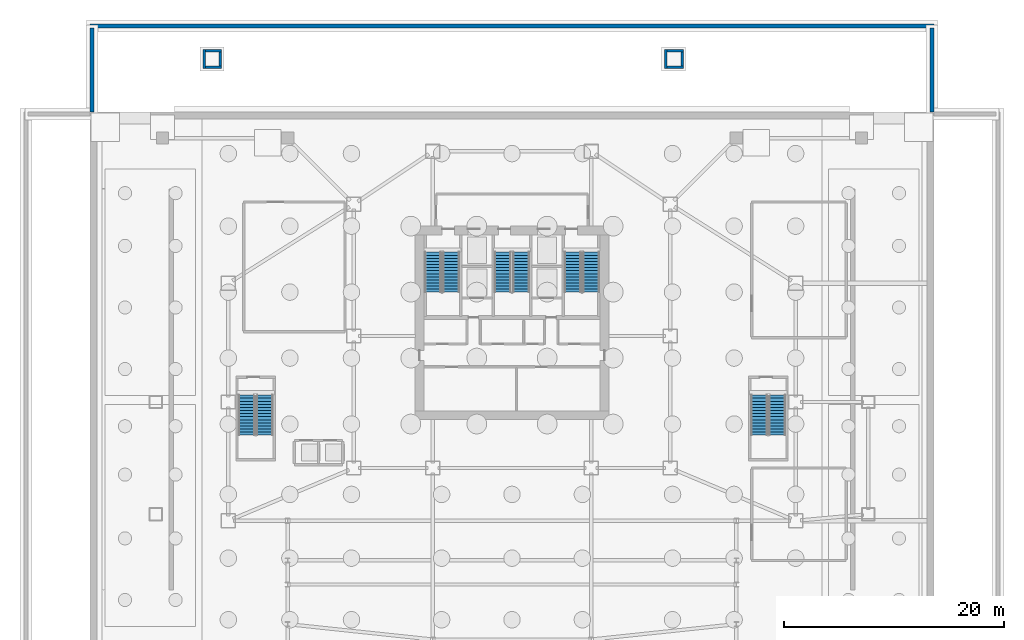
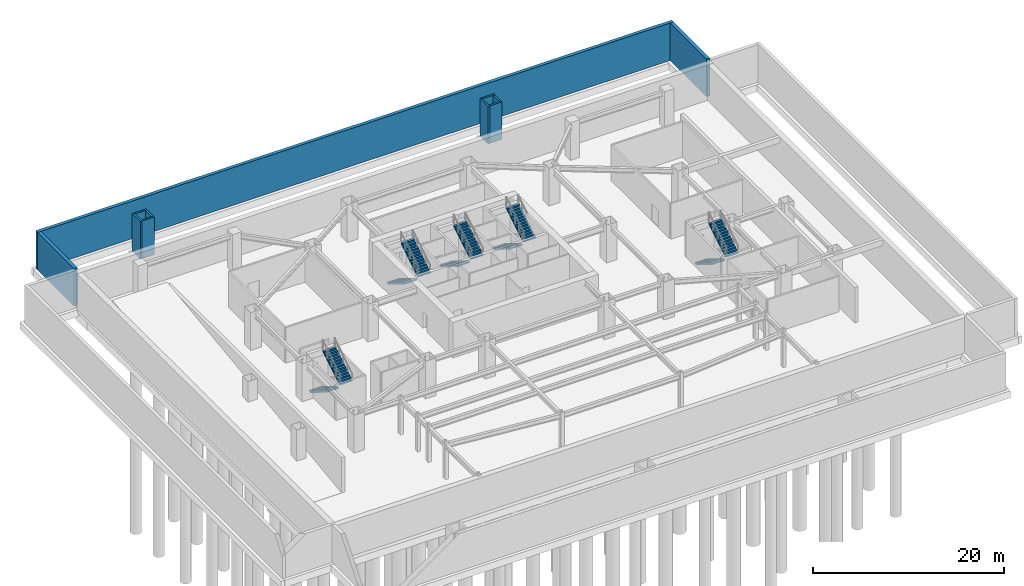
# One storey, part 11 of 15: 11 walls, 10 stair flights, 5 elements without a shape of their own.
"""IFC4 building model written with IfcOpenShell, lengths in metres."""

from ifc_helpers import new_model, si_unit, direction, frame, frame_2d, origin, place, context, subcontext, project, spatial, polyline, rectangle, outline, extrude, material, layer, layer_set, type_object, element, aggregate, save


model = new_model("IFC4")

# Units and contexts
model_context = context("Model", 3, precision=1e-05, world=origin(), true_north=direction((0.0, 1.0)))
body_context = subcontext(model_context, "Body", "Model", "MODEL_VIEW")
ifc_project = project(units=[si_unit("LENGTHUNIT", "METRE"), si_unit("AREAUNIT", "SQUARE_METRE"), si_unit("VOLUMEUNIT", "CUBIC_METRE"), si_unit("PLANEANGLEUNIT", "RADIAN"), si_unit("MASSUNIT", "GRAM", prefix="KILO")], contexts=[model_context])

# Site, building, storey
site_placement = place(None, origin())
site = spatial("IfcSite", under=ifc_project, at=site_placement, CompositionType="ELEMENT")
building_placement = place(site_placement, origin())
building = spatial("IfcBuilding", under=site, at=building_placement, Name="Haolan Belvedere Tower", CompositionType="ELEMENT")
storey_placement = place(building_placement, frame((0.0, 0.0, -9.60009765625)))
storey = spatial("IfcBuildingStorey", under=building, at=storey_placement, Name="B2", CompositionType="ELEMENT", Elevation=-9.60009765625)

# Walls
ifc_material_1 = material(Name="Concrete C50/60", Category="concrete")
ifc_layer_1 = layer(ifc_material_1, 0.39990234375, Name="Concrete C50/60")
ifc_layer_set_1 = layer_set([ifc_layer_1], Name="Concrete C50/60")
wall_type_1 = type_object("IfcWallType", Name="WL-RMP-400", PredefinedType="SOLIDWALL", material=ifc_layer_set_1)
wall_1_placement = place(storey_placement, frame((0.0, 61.800048828125, 0.0), z_axis=(0.0, 0.0, 1.0), x_axis=(1.0, 0.0, 0.0)))
element("IfcWall", 1, at=wall_1_placement, inside=storey, type_object=wall_type_1, Name="B2 apron foundation wall APW-N-OUT", PredefinedType="SOLIDWALL", context=body_context, shape_type="SweptSolid", body=[
    extrude(rectangle(XDim=76.800048828125, YDim=0.39990234375, at=frame_2d((38.39990234375, 0.0))), origin(), (0.0, 0.0, 1.0), 4.800048828125),
])
for number, where, z_axis, x_axis, name in (
    (2, (0.199951171875, 54.0, 0.0), (0.0, 0.0, 1.0), (0.0, 1.0, 0.0), "B2 apron foundation wall APW-N-W"),
    (3, (76.60009765625, 54.0, 0.0), (0.0, 0.0, 1.0), (0.0, 1.0, 0.0), "B2 apron foundation wall APW-N-E"),
):
    element("IfcWall", number, at=place(storey_placement, frame(where, z_axis=z_axis, x_axis=x_axis)), inside=storey, type_object=wall_type_1, Name=name, PredefinedType="SOLIDWALL", context=body_context, shape_type="SweptSolid", body=[
        extrude(rectangle(XDim=7.60009765625, YDim=0.39990234375, at=frame_2d((3.800048828125, 0.0))), origin(), (0.0, 0.0, 1.0), 4.800048828125),
    ])
ifc_layer_2 = layer(ifc_material_1, 0.219970703125, Name="Concrete C50/60")
ifc_layer_set_2 = layer_set([ifc_layer_2], Name="Concrete C50/60")
wall_type_2 = type_object("IfcWallType", Name="WL-STAIR-220", PredefinedType="SHEAR", material=ifc_layer_set_2)
wall_2_placement = place(storey_placement, frame((10.39990234375, 57.93994140625, 0.0), z_axis=(0.0, 0.0, 1.0), x_axis=(0.0, 1.0, 0.0)))
element("IfcWall", 4, at=wall_2_placement, inside=storey, type_object=wall_type_2, Name="North-west concourse step-free accessible ramp AR-3 foundation stem wall B2 W", PredefinedType="SHEAR", context=body_context, shape_type="SweptSolid", body=[
    extrude(rectangle(XDim=1.719970703125, YDim=0.219970703125, at=frame_2d((0.85986328125, 0.0))), origin(), (0.0, 0.0, 1.0), 4.800048828125),
])
for number, where, z_axis, x_axis, name in (
    (5, (10.510009765625, 59.550048828125, 0.0), (0.0, 0.0, 1.0), (1.0, 0.0, 0.0), "North-west concourse step-free accessible ramp AR-3 foundation stem wall B2 N"),
    (6, (10.510009765625, 58.050048828125, 0.0), (0.0, 0.0, 1.0), (1.0, 0.0, 0.0), "North-west concourse step-free accessible ramp AR-3 foundation stem wall B2 S"),
):
    element("IfcWall", number, at=place(storey_placement, frame(where, z_axis=z_axis, x_axis=x_axis)), inside=storey, type_object=wall_type_2, Name=name, PredefinedType="SHEAR", context=body_context, shape_type="SweptSolid", body=[
        extrude(rectangle(XDim=1.469970703125, YDim=0.219970703125, at=frame_2d((0.73486328125, 0.0))), origin(), (0.0, 0.0, 1.0), 4.800048828125),
    ])
wall_3_placement = place(storey_placement, frame((11.8701171875, 58.159912109375, 0.0), z_axis=(0.0, 0.0, 1.0), x_axis=(0.0, 1.0, 0.0)))
element("IfcWall", 7, at=wall_3_placement, inside=storey, type_object=wall_type_2, Name="North-west concourse step-free accessible ramp AR-3 foundation stem wall B2 E", PredefinedType="SHEAR", context=body_context, shape_type="SweptSolid", body=[
    extrude(rectangle(XDim=1.280029296875, YDim=0.219970703125, at=frame_2d((0.64013671875, 0.0))), origin(), (0.0, 0.0, 1.0), 4.800048828125),
])
wall_4_placement = place(storey_placement, frame((52.39990234375, 57.93994140625, 0.0), z_axis=(0.0, 0.0, 1.0), x_axis=(0.0, 1.0, 0.0)))
element("IfcWall", 8, at=wall_4_placement, inside=storey, type_object=wall_type_2, Name="North-east concourse step-free accessible ramp AR-4 foundation stem wall B2 W", PredefinedType="SHEAR", context=body_context, shape_type="SweptSolid", body=[
    extrude(rectangle(XDim=1.719970703125, YDim=0.219970703125, at=frame_2d((0.85986328125, 0.0))), origin(), (0.0, 0.0, 1.0), 4.800048828125),
])
for number, where, z_axis, x_axis, name in (
    (9, (52.510009765625, 59.550048828125, 0.0), (0.0, 0.0, 1.0), (1.0, 0.0, 0.0), "North-east concourse step-free accessible ramp AR-4 foundation stem wall B2 N"),
    (10, (52.510009765625, 58.050048828125, 0.0), (0.0, 0.0, 1.0), (1.0, 0.0, 0.0), "North-east concourse step-free accessible ramp AR-4 foundation stem wall B2 S"),
):
    element("IfcWall", number, at=place(storey_placement, frame(where, z_axis=z_axis, x_axis=x_axis)), inside=storey, type_object=wall_type_2, Name=name, PredefinedType="SHEAR", context=body_context, shape_type="SweptSolid", body=[
        extrude(rectangle(XDim=1.469970703125, YDim=0.219970703125, at=frame_2d((0.73486328125, 0.0))), origin(), (0.0, 0.0, 1.0), 4.800048828125),
    ])
wall_5_placement = place(storey_placement, frame((53.8701171875, 58.159912109375, 0.0), z_axis=(0.0, 0.0, 1.0), x_axis=(0.0, 1.0, 0.0)))
element("IfcWall", 11, at=wall_5_placement, inside=storey, type_object=wall_type_2, Name="North-east concourse step-free accessible ramp AR-4 foundation stem wall B2 E", PredefinedType="SHEAR", context=body_context, shape_type="SweptSolid", body=[
    extrude(rectangle(XDim=1.280029296875, YDim=0.219970703125, at=frame_2d((0.64013671875, 0.0))), origin(), (0.0, 0.0, 1.0), 4.800048828125),
])

# Stair, stair flights
ifc_material_2 = material(Name="Concrete C40/50", Category="concrete")
stair_type = type_object("IfcStairType", Name="STR-DL-28R-171", PredefinedType="HALF_TURN_STAIR", material=ifc_material_2)
stair_1_placement = place(storey_placement, origin())
stair_1 = element("IfcStair", 12, at=stair_1_placement, inside=storey, type_object=stair_type, Name="B2 Smokeproof Core Exit Stair ST1", PredefinedType="HALF_TURN_STAIR")
stair_flight_type = type_object("IfcStairFlightType", Name="SFL-DL-14R-171", PredefinedType="STRAIGHT", material=ifc_material_2)
stair_flight_1_placement = place(storey_placement, frame((31.2099609375, 41.22998046875, 0.0), z_axis=(0.0, 0.0, 1.0), x_axis=(0.0, -1.0, 0.0)))
stair_flight_1 = element("IfcStairFlight", 13, at=stair_flight_1_placement, type_object=stair_flight_type, Name="ST1 flight 1", NumberOfRisers=14, NumberOfTreads=13, PredefinedType="STRAIGHT", RiserHeight=0.171428571, TreadLength=0.28, context=body_context, shape_type="SweptSolid", body=[
    extrude(outline(polyline([(0.0, 0.0), (0.0, 0.17138671875), (0.280029296875, 0.17138671875), (0.280029296875, 0.3427734375), (0.56005859375, 0.3427734375), (0.56005859375, 0.514404296875), (0.840087890625, 0.514404296875), (0.840087890625, 0.685791015625), (1.1201171875, 0.685791015625), (1.1201171875, 0.857177734375), (1.39990234375, 0.857177734375), (1.39990234375, 1.028564453125), (1.679931640625, 1.028564453125), (1.679931640625, 1.199951171875), (1.9599609375, 1.199951171875), (1.9599609375, 1.371337890625), (2.239990234375, 1.371337890625), (2.239990234375, 1.54296875), (2.52001953125, 1.54296875), (2.52001953125, 1.71435546875), (2.800048828125, 1.71435546875), (2.800048828125, 1.8857421875), (3.080078125, 1.8857421875), (3.080078125, 2.05712890625), (3.360107421875, 2.05712890625), (3.360107421875, 2.228515625), (3.639892578125, 2.228515625), (3.639892578125, 2.39990234375), (3.639892578125, 2.052734375), (0.287109375, 0.0), (0.0, 0.0)])), frame((0.0, 0.760009765625, 0.0), z_axis=(0.0, -1.0, 0.0), x_axis=(1.0, 0.0, 0.0)), (0.0, 0.0, 1.0), 1.52001953125),
])
stair_flight_2_placement = place(storey_placement, frame((32.8701171875, 37.590087890625, 2.400146484375), z_axis=(0.0, 0.0, 1.0), x_axis=(0.0, 1.0, 0.0)))
stair_flight_2 = element("IfcStairFlight", 14, at=stair_flight_2_placement, type_object=stair_flight_type, Name="ST1 flight 2", NumberOfRisers=14, NumberOfTreads=13, PredefinedType="STRAIGHT", RiserHeight=0.171428571, TreadLength=0.28, context=body_context, shape_type="SweptSolid", body=[
    extrude(outline(polyline([(0.0, 0.0), (0.0, 0.17138671875), (0.280029296875, 0.17138671875), (0.280029296875, 0.3427734375), (0.56005859375, 0.3427734375), (0.56005859375, 0.514404296875), (0.840087890625, 0.514404296875), (0.840087890625, 0.685791015625), (1.1201171875, 0.685791015625), (1.1201171875, 0.857177734375), (1.39990234375, 0.857177734375), (1.39990234375, 1.028564453125), (1.679931640625, 1.028564453125), (1.679931640625, 1.199951171875), (1.9599609375, 1.199951171875), (1.9599609375, 1.371337890625), (2.239990234375, 1.371337890625), (2.239990234375, 1.54296875), (2.52001953125, 1.54296875), (2.52001953125, 1.71435546875), (2.800048828125, 1.71435546875), (2.800048828125, 1.8857421875), (3.080078125, 1.8857421875), (3.080078125, 2.05712890625), (3.360107421875, 2.05712890625), (3.360107421875, 2.228515625), (3.639892578125, 2.228515625), (3.639892578125, 2.39990234375), (3.639892578125, 2.052734375), (0.287109375, 0.0), (0.0, 0.0)])), frame((0.0, 0.760009765625, 0.0), z_axis=(0.0, -1.0, 0.0), x_axis=(1.0, 0.0, 0.0)), (0.0, 0.0, 1.0), 1.52001953125),
])
aggregate(stair_1, [stair_flight_1, stair_flight_2])

stair_2_placement = place(storey_placement, origin())
stair_2 = element("IfcStair", 15, at=stair_2_placement, inside=storey, type_object=stair_type, Name="B2 Smokeproof Core Exit Stair ST3", PredefinedType="HALF_TURN_STAIR")
stair_flight_3_placement = place(storey_placement, frame((37.570068359375, 41.22998046875, 0.0), z_axis=(0.0, 0.0, 1.0), x_axis=(0.0, -1.0, 0.0)))
stair_flight_3 = element("IfcStairFlight", 16, at=stair_flight_3_placement, type_object=stair_flight_type, Name="ST3 flight 1", NumberOfRisers=14, NumberOfTreads=13, PredefinedType="STRAIGHT", RiserHeight=0.171428571, TreadLength=0.28, context=body_context, shape_type="SweptSolid", body=[
    extrude(outline(polyline([(0.0, 0.0), (0.0, 0.17138671875), (0.280029296875, 0.17138671875), (0.280029296875, 0.3427734375), (0.56005859375, 0.3427734375), (0.56005859375, 0.514404296875), (0.840087890625, 0.514404296875), (0.840087890625, 0.685791015625), (1.1201171875, 0.685791015625), (1.1201171875, 0.857177734375), (1.39990234375, 0.857177734375), (1.39990234375, 1.028564453125), (1.679931640625, 1.028564453125), (1.679931640625, 1.199951171875), (1.9599609375, 1.199951171875), (1.9599609375, 1.371337890625), (2.239990234375, 1.371337890625), (2.239990234375, 1.54296875), (2.52001953125, 1.54296875), (2.52001953125, 1.71435546875), (2.800048828125, 1.71435546875), (2.800048828125, 1.8857421875), (3.080078125, 1.8857421875), (3.080078125, 2.05712890625), (3.360107421875, 2.05712890625), (3.360107421875, 2.228515625), (3.639892578125, 2.228515625), (3.639892578125, 2.39990234375), (3.639892578125, 2.052734375), (0.287109375, 0.0), (0.0, 0.0)])), frame((0.0, 0.760009765625, 0.0), z_axis=(0.0, -1.0, 0.0), x_axis=(1.0, 0.0, 0.0)), (0.0, 0.0, 1.0), 1.52001953125),
])
stair_flight_4_placement = place(storey_placement, frame((39.22998046875, 37.590087890625, 2.400146484375), z_axis=(0.0, 0.0, 1.0), x_axis=(0.0, 1.0, 0.0)))
stair_flight_4 = element("IfcStairFlight", 17, at=stair_flight_4_placement, type_object=stair_flight_type, Name="ST3 flight 2", NumberOfRisers=14, NumberOfTreads=13, PredefinedType="STRAIGHT", RiserHeight=0.171428571, TreadLength=0.28, context=body_context, shape_type="SweptSolid", body=[
    extrude(outline(polyline([(0.0, 0.0), (0.0, 0.17138671875), (0.280029296875, 0.17138671875), (0.280029296875, 0.3427734375), (0.56005859375, 0.3427734375), (0.56005859375, 0.514404296875), (0.840087890625, 0.514404296875), (0.840087890625, 0.685791015625), (1.1201171875, 0.685791015625), (1.1201171875, 0.857177734375), (1.39990234375, 0.857177734375), (1.39990234375, 1.028564453125), (1.679931640625, 1.028564453125), (1.679931640625, 1.199951171875), (1.9599609375, 1.199951171875), (1.9599609375, 1.371337890625), (2.239990234375, 1.371337890625), (2.239990234375, 1.54296875), (2.52001953125, 1.54296875), (2.52001953125, 1.71435546875), (2.800048828125, 1.71435546875), (2.800048828125, 1.8857421875), (3.080078125, 1.8857421875), (3.080078125, 2.05712890625), (3.360107421875, 2.05712890625), (3.360107421875, 2.228515625), (3.639892578125, 2.228515625), (3.639892578125, 2.39990234375), (3.639892578125, 2.052734375), (0.287109375, 0.0), (0.0, 0.0)])), frame((0.0, 0.760009765625, 0.0), z_axis=(0.0, -1.0, 0.0), x_axis=(1.0, 0.0, 0.0)), (0.0, 0.0, 1.0), 1.52001953125),
])
aggregate(stair_2, [stair_flight_3, stair_flight_4])

stair_3_placement = place(storey_placement, origin())
stair_3 = element("IfcStair", 18, at=stair_3_placement, inside=storey, type_object=stair_type, Name="B2 Smokeproof Core Exit Stair ST2", PredefinedType="HALF_TURN_STAIR")
stair_flight_5_placement = place(storey_placement, frame((43.929931640625, 41.22998046875, 0.0), z_axis=(0.0, 0.0, 1.0), x_axis=(0.0, -1.0, 0.0)))
stair_flight_5 = element("IfcStairFlight", 19, at=stair_flight_5_placement, type_object=stair_flight_type, Name="ST2 flight 1", NumberOfRisers=14, NumberOfTreads=13, PredefinedType="STRAIGHT", RiserHeight=0.171428571, TreadLength=0.28, context=body_context, shape_type="SweptSolid", body=[
    extrude(outline(polyline([(0.0, 0.0), (0.0, 0.17138671875), (0.280029296875, 0.17138671875), (0.280029296875, 0.3427734375), (0.56005859375, 0.3427734375), (0.56005859375, 0.514404296875), (0.840087890625, 0.514404296875), (0.840087890625, 0.685791015625), (1.1201171875, 0.685791015625), (1.1201171875, 0.857177734375), (1.39990234375, 0.857177734375), (1.39990234375, 1.028564453125), (1.679931640625, 1.028564453125), (1.679931640625, 1.199951171875), (1.9599609375, 1.199951171875), (1.9599609375, 1.371337890625), (2.239990234375, 1.371337890625), (2.239990234375, 1.54296875), (2.52001953125, 1.54296875), (2.52001953125, 1.71435546875), (2.800048828125, 1.71435546875), (2.800048828125, 1.8857421875), (3.080078125, 1.8857421875), (3.080078125, 2.05712890625), (3.360107421875, 2.05712890625), (3.360107421875, 2.228515625), (3.639892578125, 2.228515625), (3.639892578125, 2.39990234375), (3.639892578125, 2.052734375), (0.287109375, 0.0), (0.0, 0.0)])), frame((0.0, 0.760009765625, 0.0), z_axis=(0.0, -1.0, 0.0), x_axis=(1.0, 0.0, 0.0)), (0.0, 0.0, 1.0), 1.52001953125),
])
stair_flight_6_placement = place(storey_placement, frame((45.590087890625, 37.590087890625, 2.400146484375), z_axis=(0.0, 0.0, 1.0), x_axis=(0.0, 1.0, 0.0)))
stair_flight_6 = element("IfcStairFlight", 20, at=stair_flight_6_placement, type_object=stair_flight_type, Name="ST2 flight 2", NumberOfRisers=14, NumberOfTreads=13, PredefinedType="STRAIGHT", RiserHeight=0.171428571, TreadLength=0.28, context=body_context, shape_type="SweptSolid", body=[
    extrude(outline(polyline([(0.0, 0.0), (0.0, 0.17138671875), (0.280029296875, 0.17138671875), (0.280029296875, 0.3427734375), (0.56005859375, 0.3427734375), (0.56005859375, 0.514404296875), (0.840087890625, 0.514404296875), (0.840087890625, 0.685791015625), (1.1201171875, 0.685791015625), (1.1201171875, 0.857177734375), (1.39990234375, 0.857177734375), (1.39990234375, 1.028564453125), (1.679931640625, 1.028564453125), (1.679931640625, 1.199951171875), (1.9599609375, 1.199951171875), (1.9599609375, 1.371337890625), (2.239990234375, 1.371337890625), (2.239990234375, 1.54296875), (2.52001953125, 1.54296875), (2.52001953125, 1.71435546875), (2.800048828125, 1.71435546875), (2.800048828125, 1.8857421875), (3.080078125, 1.8857421875), (3.080078125, 2.05712890625), (3.360107421875, 2.05712890625), (3.360107421875, 2.228515625), (3.639892578125, 2.228515625), (3.639892578125, 2.39990234375), (3.639892578125, 2.052734375), (0.287109375, 0.0), (0.0, 0.0)])), frame((0.0, 0.760009765625, 0.0), z_axis=(0.0, -1.0, 0.0), x_axis=(1.0, 0.0, 0.0)), (0.0, 0.0, 1.0), 1.52001953125),
])
aggregate(stair_3, [stair_flight_5, stair_flight_6])

stair_4_placement = place(storey_placement, origin())
stair_4 = element("IfcStair", 21, at=stair_4_placement, inside=storey, type_object=stair_type, Name="B2 West Podium Protected Exit Stair ST4", PredefinedType="HALF_TURN_STAIR")
stair_flight_7_placement = place(storey_placement, frame((14.260009765625, 28.22998046875, 0.0), z_axis=(0.0, 0.0, 1.0), x_axis=(0.0, -1.0, 0.0)))
stair_flight_7 = element("IfcStairFlight", 22, at=stair_flight_7_placement, type_object=stair_flight_type, Name="ST4 flight 1", NumberOfRisers=14, NumberOfTreads=13, PredefinedType="STRAIGHT", RiserHeight=0.171428571, TreadLength=0.28, context=body_context, shape_type="SweptSolid", body=[
    extrude(outline(polyline([(0.0, 0.0), (0.0, 0.17138671875), (0.280029296875, 0.17138671875), (0.280029296875, 0.3427734375), (0.56005859375, 0.3427734375), (0.56005859375, 0.514404296875), (0.840087890625, 0.514404296875), (0.840087890625, 0.685791015625), (1.1201171875, 0.685791015625), (1.1201171875, 0.857177734375), (1.39990234375, 0.857177734375), (1.39990234375, 1.028564453125), (1.679931640625, 1.028564453125), (1.679931640625, 1.199951171875), (1.9599609375, 1.199951171875), (1.9599609375, 1.371337890625), (2.239990234375, 1.371337890625), (2.239990234375, 1.54296875), (2.52001953125, 1.54296875), (2.52001953125, 1.71435546875), (2.800048828125, 1.71435546875), (2.800048828125, 1.8857421875), (3.080078125, 1.8857421875), (3.080078125, 2.05712890625), (3.360107421875, 2.05712890625), (3.360107421875, 2.228515625), (3.639892578125, 2.228515625), (3.639892578125, 2.39990234375), (3.639892578125, 2.052734375), (0.287109375, 0.0), (0.0, 0.0)])), frame((0.0, 0.760009765625, 0.0), z_axis=(0.0, -1.0, 0.0), x_axis=(1.0, 0.0, 0.0)), (0.0, 0.0, 1.0), 1.52001953125),
])
stair_flight_8_placement = place(storey_placement, frame((15.919921875, 24.590087890625, 2.400146484375), z_axis=(0.0, 0.0, 1.0), x_axis=(0.0, 1.0, 0.0)))
stair_flight_8 = element("IfcStairFlight", 23, at=stair_flight_8_placement, type_object=stair_flight_type, Name="ST4 flight 2", NumberOfRisers=14, NumberOfTreads=13, PredefinedType="STRAIGHT", RiserHeight=0.171428571, TreadLength=0.28, context=body_context, shape_type="SweptSolid", body=[
    extrude(outline(polyline([(0.0, 0.0), (0.0, 0.17138671875), (0.280029296875, 0.17138671875), (0.280029296875, 0.3427734375), (0.56005859375, 0.3427734375), (0.56005859375, 0.514404296875), (0.840087890625, 0.514404296875), (0.840087890625, 0.685791015625), (1.1201171875, 0.685791015625), (1.1201171875, 0.857177734375), (1.39990234375, 0.857177734375), (1.39990234375, 1.028564453125), (1.679931640625, 1.028564453125), (1.679931640625, 1.199951171875), (1.9599609375, 1.199951171875), (1.9599609375, 1.371337890625), (2.239990234375, 1.371337890625), (2.239990234375, 1.54296875), (2.52001953125, 1.54296875), (2.52001953125, 1.71435546875), (2.800048828125, 1.71435546875), (2.800048828125, 1.8857421875), (3.080078125, 1.8857421875), (3.080078125, 2.05712890625), (3.360107421875, 2.05712890625), (3.360107421875, 2.228515625), (3.639892578125, 2.228515625), (3.639892578125, 2.39990234375), (3.639892578125, 2.052734375), (0.287109375, 0.0), (0.0, 0.0)])), frame((0.0, 0.760009765625, 0.0), z_axis=(0.0, -1.0, 0.0), x_axis=(1.0, 0.0, 0.0)), (0.0, 0.0, 1.0), 1.52001953125),
])
aggregate(stair_4, [stair_flight_7, stair_flight_8])

stair_5_placement = place(storey_placement, origin())
stair_5 = element("IfcStair", 24, at=stair_5_placement, inside=storey, type_object=stair_type, Name="B2 East Podium Protected Exit Stair ST5", PredefinedType="HALF_TURN_STAIR")
stair_flight_9_placement = place(storey_placement, frame((60.8798828125, 28.22998046875, 0.0), z_axis=(0.0, 0.0, 1.0), x_axis=(0.0, -1.0, 0.0)))
stair_flight_9 = element("IfcStairFlight", 25, at=stair_flight_9_placement, type_object=stair_flight_type, Name="ST5 flight 1", NumberOfRisers=14, NumberOfTreads=13, PredefinedType="STRAIGHT", RiserHeight=0.171428571, TreadLength=0.28, context=body_context, shape_type="SweptSolid", body=[
    extrude(outline(polyline([(0.0, 0.0), (0.0, 0.17138671875), (0.280029296875, 0.17138671875), (0.280029296875, 0.3427734375), (0.56005859375, 0.3427734375), (0.56005859375, 0.514404296875), (0.840087890625, 0.514404296875), (0.840087890625, 0.685791015625), (1.1201171875, 0.685791015625), (1.1201171875, 0.857177734375), (1.39990234375, 0.857177734375), (1.39990234375, 1.028564453125), (1.679931640625, 1.028564453125), (1.679931640625, 1.199951171875), (1.9599609375, 1.199951171875), (1.9599609375, 1.371337890625), (2.239990234375, 1.371337890625), (2.239990234375, 1.54296875), (2.52001953125, 1.54296875), (2.52001953125, 1.71435546875), (2.800048828125, 1.71435546875), (2.800048828125, 1.8857421875), (3.080078125, 1.8857421875), (3.080078125, 2.05712890625), (3.360107421875, 2.05712890625), (3.360107421875, 2.228515625), (3.639892578125, 2.228515625), (3.639892578125, 2.39990234375), (3.639892578125, 2.052734375), (0.287109375, 0.0), (0.0, 0.0)])), frame((0.0, 0.760009765625, 0.0), z_axis=(0.0, -1.0, 0.0), x_axis=(1.0, 0.0, 0.0)), (0.0, 0.0, 1.0), 1.52001953125),
])
stair_flight_10_placement = place(storey_placement, frame((62.5400390625, 24.590087890625, 2.400146484375), z_axis=(0.0, 0.0, 1.0), x_axis=(0.0, 1.0, 0.0)))
stair_flight_10 = element("IfcStairFlight", 26, at=stair_flight_10_placement, type_object=stair_flight_type, Name="ST5 flight 2", NumberOfRisers=14, NumberOfTreads=13, PredefinedType="STRAIGHT", RiserHeight=0.171428571, TreadLength=0.28, context=body_context, shape_type="SweptSolid", body=[
    extrude(outline(polyline([(0.0, 0.0), (0.0, 0.17138671875), (0.280029296875, 0.17138671875), (0.280029296875, 0.3427734375), (0.56005859375, 0.3427734375), (0.56005859375, 0.514404296875), (0.840087890625, 0.514404296875), (0.840087890625, 0.685791015625), (1.1201171875, 0.685791015625), (1.1201171875, 0.857177734375), (1.39990234375, 0.857177734375), (1.39990234375, 1.028564453125), (1.679931640625, 1.028564453125), (1.679931640625, 1.199951171875), (1.9599609375, 1.199951171875), (1.9599609375, 1.371337890625), (2.239990234375, 1.371337890625), (2.239990234375, 1.54296875), (2.52001953125, 1.54296875), (2.52001953125, 1.71435546875), (2.800048828125, 1.71435546875), (2.800048828125, 1.8857421875), (3.080078125, 1.8857421875), (3.080078125, 2.05712890625), (3.360107421875, 2.05712890625), (3.360107421875, 2.228515625), (3.639892578125, 2.228515625), (3.639892578125, 2.39990234375), (3.639892578125, 2.052734375), (0.287109375, 0.0), (0.0, 0.0)])), frame((0.0, 0.760009765625, 0.0), z_axis=(0.0, -1.0, 0.0), x_axis=(1.0, 0.0, 0.0)), (0.0, 0.0, 1.0), 1.52001953125),
])
aggregate(stair_5, [stair_flight_9, stair_flight_10])

save(model, "model.ifc")
